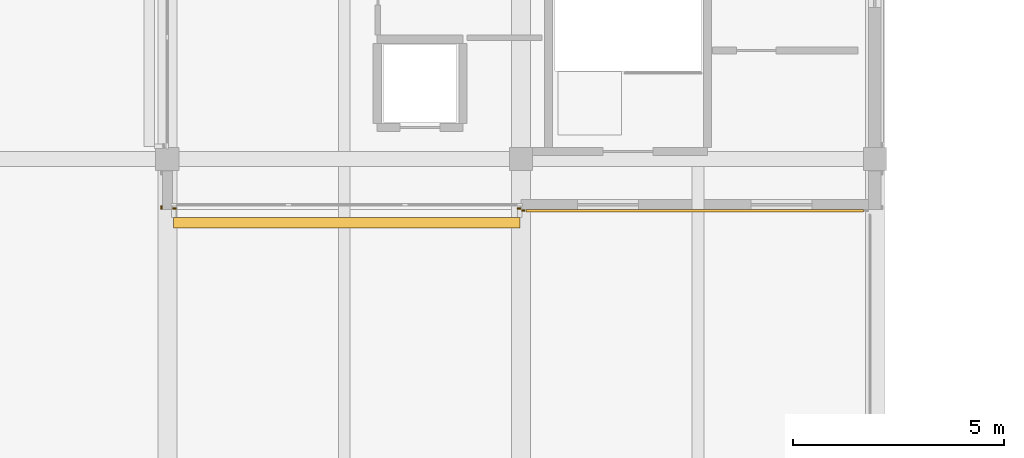
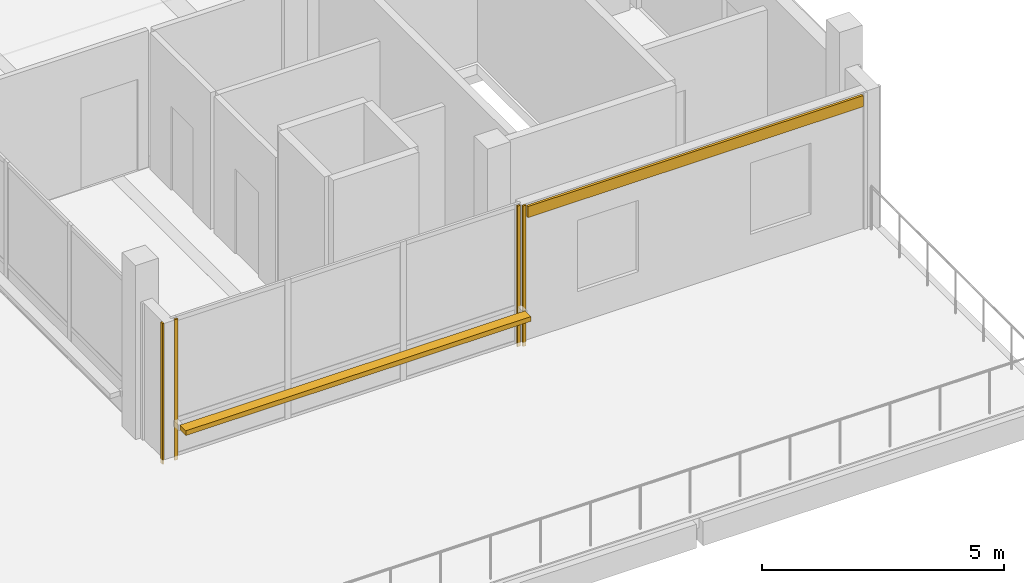
# One storey, part 37 of 59: 5 coverings, 1 shading device.
"""IFC4 building model written with IfcOpenShell, lengths in metres."""

from ifc_helpers import new_model, si_unit, direction, frame, origin, origin_2d, place, context, subcontext, project, spatial, rectangle, extrude, material, layer, layer_set, type_object, element, save


model = new_model("IFC4")

# Units and contexts
model_context = context("Model", 3, precision=1e-05, world=origin(), true_north=direction((0.0, 1.0)))
body_context = subcontext(model_context, "Body", "Model", "MODEL_VIEW")
ifc_project = project(units=[si_unit("LENGTHUNIT", "METRE"), si_unit("AREAUNIT", "SQUARE_METRE"), si_unit("VOLUMEUNIT", "CUBIC_METRE"), si_unit("PLANEANGLEUNIT", "RADIAN"), si_unit("MASSUNIT", "GRAM", prefix="KILO")], contexts=[model_context])

# Site, building, storey
site_placement = place(None, origin())
site = spatial("IfcSite", under=ifc_project, at=site_placement, CompositionType="ELEMENT")
building_placement = place(site_placement, origin())
building = spatial("IfcBuilding", under=site, at=building_placement, Name="Telukmera Botanical Conservatory", CompositionType="ELEMENT")
storey_placement = place(building_placement, frame((0.0, 0.0, 15.0)))
storey = spatial("IfcBuildingStorey", under=building, at=storey_placement, Name="L03", CompositionType="ELEMENT", Elevation=15.0)

# Coverings
ifc_material_1 = material(Name="Granite-faced precast concrete C40/50", Category="masonry")
ifc_layer_1 = layer(ifc_material_1, 0.0400390625)
ifc_layer_set_1 = layer_set([ifc_layer_1], Name="Granite-faced precast concrete C40/50")
covering_type_1 = type_object("IfcCoveringType", Name="Granite Precast Column Pier Reveal Casing", PredefinedType="CLADDING", material=ifc_layer_set_1)
for number, where, z_axis, x_axis, name in (
    (1, (25.06005859375, 24.85009765625, 0.0), (0.0, 0.0, 1.0), (0.0, 1.0, 0.0), "Granite Pier Reveal V3:L03:SWC L"),
    (2, (25.3720703125, 24.830078125, 0.0), (0.0, 0.0, 1.0), (1.0, 0.0, 0.0), "Granite Pier Reveal V3:L03:S1 L"),
    (3, (33.548095703125, 24.830078125, 0.0), (0.0, 0.0, 1.0), (1.0, 0.0, 0.0), "Granite Pier Reveal V3:L03:S1 R"),
    (4, (33.652099609375, 24.780029296875, 0.0), (0.0, 0.0, 1.0), (1.0, 0.0, 0.0), "Granite Pier Reveal V3:L03:S2 L"),
):
    element("IfcCovering", number, at=place(storey_placement, frame(where, z_axis=z_axis, x_axis=x_axis)), inside=storey, type_object=covering_type_1, Name=name, PredefinedType="CLADDING", context=body_context, shape_type="SweptSolid", body=[
        extrude(rectangle(XDim=0.080078125, YDim=0.0400390625, at=origin_2d()), origin(), (0.0, 0.0, 1.0), 3.550048828125),
    ])

# Shading device
ifc_material_2 = material(Name="Perforated terracotta-anodised aluminium 6063-T6", Category="masonry")
ifc_layer_2 = layer(ifc_material_2, 0.044921875)
ifc_layer_set_2 = layer_set([ifc_layer_2], Name="Perforated terracotta-anodised aluminium 6063-T6")
shading_device_type = type_object("IfcShadingDeviceType", Name="Perforated Terracotta Aluminium Monsoon Brise Soleil", PredefinedType="JALOUSIE", material=ifc_layer_set_2)
shading_device_placement = place(storey_placement, frame((29.4599609375, 24.489990234375, 0.889892578125), z_axis=(0.0, 0.0, 1.0), x_axis=(1.0, 0.0, 0.0)))
element("IfcShadingDevice", 5, at=shading_device_placement, inside=storey, type_object=shading_device_type, Name="Monsoon Shading BS01 V3:L03:S1", PredefinedType="JALOUSIE", context=body_context, shape_type="SweptSolid", body=[
    extrude(rectangle(XDim=8.236083984375, YDim=0.239990234375, at=origin_2d()), origin(), (0.0, 0.0, 1.0), 0.1201171875),
])

# Covering
ifc_material_3 = material(Name="Terracotta-faced precast concrete C40/50", Category="masonry")
ifc_layer_3 = layer(ifc_material_3, 0.06005859375)
ifc_layer_set_3 = layer_set([ifc_layer_3], Name="Terracotta-faced precast concrete C40/50")
covering_type_2 = type_object("IfcCoveringType", Name="Polychrome Terracotta Facade Band Cladding", PredefinedType="CLADDING", material=ifc_layer_set_3)
covering_placement = place(storey_placement, frame((37.72509765625, 24.77001953125, 3.22998046875), z_axis=(0.0, 0.0, 1.0), x_axis=(1.0, 0.0, 0.0)))
element("IfcCovering", 6, at=covering_placement, inside=storey, type_object=covering_type_2, Name="Polychrome Terracotta Band V3:L03:S2", PredefinedType="CLADDING", context=body_context, shape_type="SweptSolid", body=[
    extrude(rectangle(XDim=8.006103515625, YDim=0.06005859375, at=origin_2d()), origin(), (0.0, 0.0, 1.0), 0.280029296875),
])

save(model, "model.ifc")
